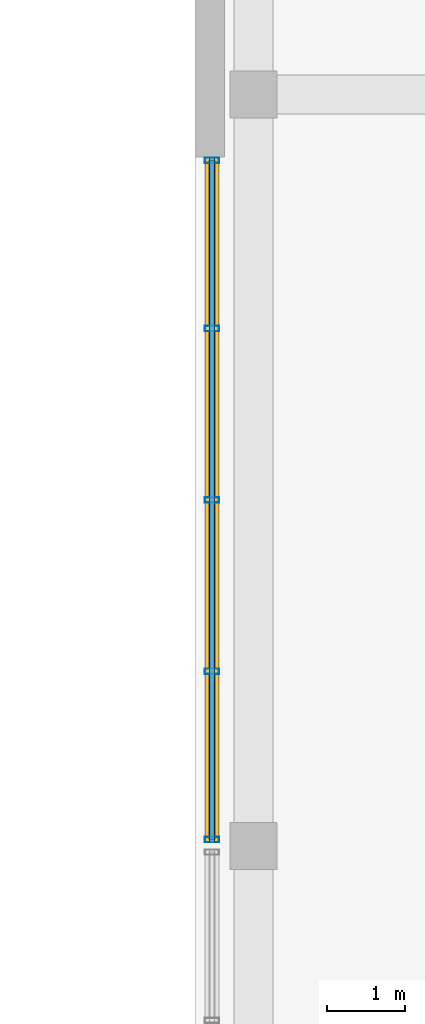
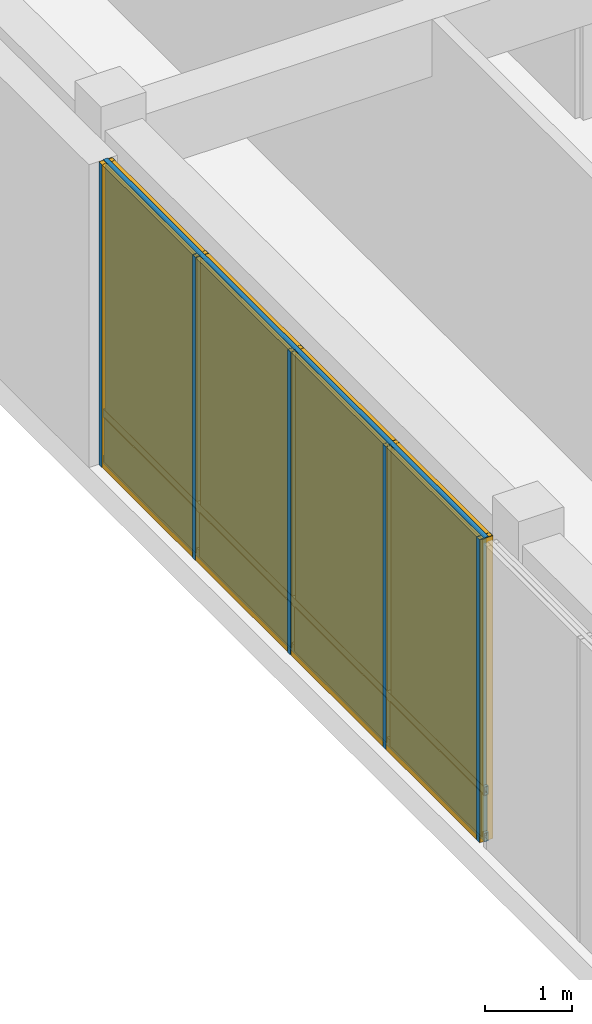
# One storey, part 17 of 24: 8 members, 8 plates, 1 curtain wall.
"""IFC4 building model written with IfcOpenShell, lengths in metres."""

from ifc_helpers import new_model, si_unit, direction, frame, frame_2d, origin, origin_2d, place, context, subcontext, project, spatial, rectangle, hollow_rectangle, extrude, material, layer, layer_set, material_profile, profile_set, type_object, element, aggregate, save


model = new_model("IFC4")

# Units and contexts
model_context = context("Model", 3, precision=1e-05, world=origin(), true_north=direction((0.0, 1.0)))
body_context = subcontext(model_context, "Body", "Model", "MODEL_VIEW")
ifc_project = project(units=[si_unit("LENGTHUNIT", "METRE"), si_unit("AREAUNIT", "SQUARE_METRE"), si_unit("VOLUMEUNIT", "CUBIC_METRE"), si_unit("PLANEANGLEUNIT", "RADIAN"), si_unit("MASSUNIT", "GRAM", prefix="KILO")], contexts=[model_context])

# Member
ifc_material_1 = material(Name="Anodized Aluminium 6063-T6", Category="aluminium")
ifc_material_profile_1 = material_profile(ifc_material_1, hollow_rectangle(XDim=0.070068359375, YDim=0.179931640625, WallThickness=0.00390625, at=origin_2d()), Name="Anodized Aluminium 6063-T6")
ifc_profile_set_1 = profile_set([ifc_material_profile_1], Name="Anodized Aluminium 6063-T6")
member_type_1 = type_object("IfcMemberType", Name="Curtain Wall Mullion 180", PredefinedType="MULLION", material=ifc_profile_set_1)
site_placement = place(None, origin())
building_placement = place(site_placement, origin())
storey_placement = place(building_placement, frame((0.0, 0.0, 10.39990234375)))
member_1_placement = place(storey_placement, frame((85.419921875, 28.8798828125, 0.0), z_axis=(0.0, 0.0, 1.0), x_axis=(0.0, 1.0, 0.0)))
member_1 = element("IfcMember", 1, at=member_1_placement, type_object=member_type_1, Name="Curtain Wall Mullion CW-L02-LREAD-2-M01", PredefinedType="MULLION", context=body_context, shape_type="SweptSolid", body=[
    extrude(hollow_rectangle(XDim=0.070068359375, YDim=0.179931640625, WallThickness=0.00390625, at=origin_2d()), origin(), (0.0, 0.0, 1.0), 4.25),
])

member_2_placement = place(storey_placement, frame((85.419921875, 31.030029296875, 0.0), z_axis=(0.0, 0.0, 1.0), x_axis=(0.0, 1.0, 0.0)))
member_2 = element("IfcMember", 2, at=member_2_placement, type_object=member_type_1, Name="Curtain Wall Mullion CW-L02-LREAD-2-M02", PredefinedType="MULLION", context=body_context, shape_type="SweptSolid", body=[
    extrude(hollow_rectangle(XDim=0.070068359375, YDim=0.179931640625, WallThickness=0.00390625, at=origin_2d()), origin(), (0.0, 0.0, 1.0), 4.25),
])

member_3_placement = place(storey_placement, frame((85.419921875, 33.219970703125, 0.0), z_axis=(0.0, 0.0, 1.0), x_axis=(0.0, 1.0, 0.0)))
member_3 = element("IfcMember", 3, at=member_3_placement, type_object=member_type_1, Name="Curtain Wall Mullion CW-L02-LREAD-2-M03", PredefinedType="MULLION", context=body_context, shape_type="SweptSolid", body=[
    extrude(hollow_rectangle(XDim=0.070068359375, YDim=0.179931640625, WallThickness=0.00390625, at=origin_2d()), origin(), (0.0, 0.0, 1.0), 4.25),
])

member_4_placement = place(storey_placement, frame((85.419921875, 35.409912109375, 0.0), z_axis=(0.0, 0.0, 1.0), x_axis=(0.0, 1.0, 0.0)))
member_4 = element("IfcMember", 4, at=member_4_placement, type_object=member_type_1, Name="Curtain Wall Mullion CW-L02-LREAD-2-M04", PredefinedType="MULLION", context=body_context, shape_type="SweptSolid", body=[
    extrude(hollow_rectangle(XDim=0.070068359375, YDim=0.179931640625, WallThickness=0.00390625, at=origin_2d()), origin(), (0.0, 0.0, 1.0), 4.25),
])

member_5_placement = place(storey_placement, frame((85.419921875, 37.56005859375, 0.0), z_axis=(0.0, 0.0, 1.0), x_axis=(0.0, 1.0, 0.0)))
member_5 = element("IfcMember", 5, at=member_5_placement, type_object=member_type_1, Name="Curtain Wall Mullion CW-L02-LREAD-2-M05", PredefinedType="MULLION", context=body_context, shape_type="SweptSolid", body=[
    extrude(hollow_rectangle(XDim=0.070068359375, YDim=0.179931640625, WallThickness=0.00390625, at=origin_2d()), origin(), (0.0, 0.0, 1.0), 4.25),
])

ifc_material_profile_2 = material_profile(ifc_material_1, hollow_rectangle(XDim=0.06005859375, YDim=0.1201171875, WallThickness=0.00341796875, at=origin_2d()), Name="Anodized Aluminium 6063-T6")
ifc_profile_set_2 = profile_set([ifc_material_profile_2], Name="Anodized Aluminium 6063-T6")
member_type_2 = type_object("IfcMemberType", Name="Curtain Wall Transom 120", PredefinedType="USERDEFINED", material=ifc_profile_set_2)
member_6_placement = place(storey_placement, frame((85.419921875, 28.840087890625, 0.050048828125), z_axis=(0.0, 1.0, 0.0), x_axis=(-1.0, 0.0, 0.0)))
member_6 = element("IfcMember", 6, at=member_6_placement, type_object=member_type_2, Name="Curtain Wall Transom CW-L02-LREAD-2-T01", ObjectType="TRANSOM", PredefinedType="USERDEFINED", context=body_context, shape_type="SweptSolid", body=[
    extrude(hollow_rectangle(XDim=0.06005859375, YDim=0.1201171875, WallThickness=0.00341796875, at=origin_2d()), origin(), (0.0, 0.0, 1.0), 8.760009765625),
])

member_7_placement = place(storey_placement, frame((85.419921875, 28.840087890625, 0.7001953125), z_axis=(0.0, 1.0, 0.0), x_axis=(-1.0, 0.0, 0.0)))
member_7 = element("IfcMember", 7, at=member_7_placement, type_object=member_type_2, Name="Curtain Wall Transom CW-L02-LREAD-2-T02", ObjectType="TRANSOM", PredefinedType="USERDEFINED", context=body_context, shape_type="SweptSolid", body=[
    extrude(hollow_rectangle(XDim=0.06005859375, YDim=0.1201171875, WallThickness=0.00341796875, at=origin_2d()), origin(), (0.0, 0.0, 1.0), 8.760009765625),
])

member_8_placement = place(storey_placement, frame((85.419921875, 28.840087890625, 4.2001953125), z_axis=(0.0, 1.0, 0.0), x_axis=(-1.0, 0.0, 0.0)))
member_8 = element("IfcMember", 8, at=member_8_placement, type_object=member_type_2, Name="Curtain Wall Transom CW-L02-LREAD-2-T03", ObjectType="TRANSOM", PredefinedType="USERDEFINED", context=body_context, shape_type="SweptSolid", body=[
    extrude(hollow_rectangle(XDim=0.06005859375, YDim=0.1201171875, WallThickness=0.00341796875, at=origin_2d()), origin(), (0.0, 0.0, 1.0), 8.760009765625),
])

# Plate
ifc_material_2 = material(Name="Bird-Friendly Fritted Triple Glazing", Category="glass")
ifc_layer_1 = layer(ifc_material_2, 0.052001953125, Name="Bird-Friendly Fritted Triple Glazing")
ifc_layer_set_1 = layer_set([ifc_layer_1], Name="Bird-Friendly Fritted Triple Glazing")
plate_type_1 = type_object("IfcPlateType", Name="Plate CWGlazing 52", PredefinedType="CURTAIN_PANEL", material=ifc_layer_set_1)
plate_1_placement = place(storey_placement, frame((85.419921875, 29.93505859375, 0.740234375), z_axis=(0.0, 0.0, 1.0), x_axis=(0.0, 1.0, 0.0)))
plate_1 = element("IfcPlate", 9, at=plate_1_placement, type_object=plate_type_1, Name="Vision Glazing Panel CW-L02-LREAD-2-GL01", PredefinedType="CURTAIN_PANEL", context=body_context, shape_type="SweptSolid", body=[
    extrude(rectangle(XDim=2.110107421875, YDim=0.052001953125, at=origin_2d()), origin(), (0.0, 0.0, 1.0), 3.469970703125),
])

plate_2_placement = place(storey_placement, frame((85.419921875, 32.125, 0.740234375), z_axis=(0.0, 0.0, 1.0), x_axis=(0.0, 1.0, 0.0)))
plate_2 = element("IfcPlate", 10, at=plate_2_placement, type_object=plate_type_1, Name="Vision Glazing Panel CW-L02-LREAD-2-GL02", PredefinedType="CURTAIN_PANEL", context=body_context, shape_type="SweptSolid", body=[
    extrude(rectangle(XDim=2.110107421875, YDim=0.052001953125, at=origin_2d()), origin(), (0.0, 0.0, 1.0), 3.469970703125),
])

plate_3_placement = place(storey_placement, frame((85.419921875, 34.31494140625, 0.740234375), z_axis=(0.0, 0.0, 1.0), x_axis=(0.0, 1.0, 0.0)))
plate_3 = element("IfcPlate", 11, at=plate_3_placement, type_object=plate_type_1, Name="Vision Glazing Panel CW-L02-LREAD-2-GL03", PredefinedType="CURTAIN_PANEL", context=body_context, shape_type="SweptSolid", body=[
    extrude(rectangle(XDim=2.110107421875, YDim=0.052001953125, at=origin_2d()), origin(), (0.0, 0.0, 1.0), 3.469970703125),
])

plate_4_placement = place(storey_placement, frame((85.419921875, 36.5048828125, 0.740234375), z_axis=(0.0, 0.0, 1.0), x_axis=(0.0, 1.0, 0.0)))
plate_4 = element("IfcPlate", 12, at=plate_4_placement, type_object=plate_type_1, Name="Vision Glazing Panel CW-L02-LREAD-2-GL04", PredefinedType="CURTAIN_PANEL", context=body_context, shape_type="SweptSolid", body=[
    extrude(rectangle(XDim=2.110107421875, YDim=0.052001953125, at=origin_2d()), origin(), (0.0, 0.0, 1.0), 3.469970703125),
])

ifc_material_3 = material(Name="Insulated Aluminium Spandrel Panel", Category="aluminium")
ifc_layer_2 = layer(ifc_material_3, 0.080078125, Name="Insulated Aluminium Spandrel Panel")
ifc_layer_set_2 = layer_set([ifc_layer_2], Name="Insulated Aluminium Spandrel Panel")
plate_type_2 = type_object("IfcPlateType", Name="Plate CWSpandrel 80", PredefinedType="SHEET", material=ifc_layer_set_2)
plate_5_placement = place(storey_placement, frame((85.419921875, 29.93505859375, 0.0400390625), z_axis=(0.0, 0.0, 1.0), x_axis=(0.0, 1.0, 0.0)))
plate_5 = element("IfcPlate", 13, at=plate_5_placement, type_object=plate_type_2, Name="Spandrel Panel CW-L02-LREAD-2-SP01", PredefinedType="SHEET", context=body_context, shape_type="SweptSolid", body=[
    extrude(rectangle(XDim=2.110107421875, YDim=0.080078125, at=origin_2d()), origin(), (0.0, 0.0, 1.0), 0.6201171875),
])

plate_6_placement = place(storey_placement, frame((85.419921875, 32.125, 0.0400390625), z_axis=(0.0, 0.0, 1.0), x_axis=(0.0, 1.0, 0.0)))
plate_6 = element("IfcPlate", 14, at=plate_6_placement, type_object=plate_type_2, Name="Spandrel Panel CW-L02-LREAD-2-SP02", PredefinedType="SHEET", context=body_context, shape_type="SweptSolid", body=[
    extrude(rectangle(XDim=2.110107421875, YDim=0.080078125, at=origin_2d()), origin(), (0.0, 0.0, 1.0), 0.6201171875),
])

plate_7_placement = place(storey_placement, frame((85.419921875, 34.31494140625, 0.0400390625), z_axis=(0.0, 0.0, 1.0), x_axis=(0.0, 1.0, 0.0)))
plate_7 = element("IfcPlate", 15, at=plate_7_placement, type_object=plate_type_2, Name="Spandrel Panel CW-L02-LREAD-2-SP03", PredefinedType="SHEET", context=body_context, shape_type="SweptSolid", body=[
    extrude(rectangle(XDim=2.110107421875, YDim=0.080078125, at=origin_2d()), origin(), (0.0, 0.0, 1.0), 0.6201171875),
])

plate_8_placement = place(storey_placement, frame((85.419921875, 36.5048828125, 0.0400390625), z_axis=(0.0, 0.0, 1.0), x_axis=(0.0, 1.0, 0.0)))
plate_8 = element("IfcPlate", 16, at=plate_8_placement, type_object=plate_type_2, Name="Spandrel Panel CW-L02-LREAD-2-SP04", PredefinedType="SHEET", context=body_context, shape_type="SweptSolid", body=[
    extrude(rectangle(XDim=2.110107421875, YDim=0.080078125, at=origin_2d()), origin(), (0.0, 0.0, 1.0), 0.6201171875),
])

# Site, building, storey
site = spatial("IfcSite", under=ifc_project, at=site_placement, CompositionType="ELEMENT")
building = spatial("IfcBuilding", under=site, at=building_placement, Name="Norrvale University Quadrangle", CompositionType="ELEMENT")
storey = spatial("IfcBuildingStorey", under=building, at=storey_placement, Name="L02", CompositionType="ELEMENT", Elevation=10.39990234375)

# Curtain wall
ifc_material_4 = material(Name="Anodized Aluminium and Triple Glazing", Category="glass")
curtain_wall_type = type_object("IfcCurtainWallType", Name="Curtain Wall System 4 Lib Reading", PredefinedType="NOTDEFINED", material=ifc_material_4)
curtain_wall_placement = place(storey_placement, frame((85.419921875, 28.840087890625, 0.0), z_axis=(0.0, 0.0, 1.0), x_axis=(0.0, 1.0, 0.0)))
curtain_wall = element("IfcCurtainWall", 17, at=curtain_wall_placement, inside=storey, type_object=curtain_wall_type, Name="Curtain Wall CW System 4 Lib Reading CW-L02-LREAD-2", PredefinedType="NOTDEFINED", context=body_context, shape_type="SweptSolid", body=[
    extrude(rectangle(XDim=8.760009765625, YDim=0.175048828125, at=frame_2d((4.3798828125, 0.0))), origin(), (0.0, 0.0, 1.0), 4.25),
])

aggregate(curtain_wall, [member_1, member_2, member_3, member_4, member_5, member_6, member_7, member_8, plate_5, plate_1, plate_6, plate_2, plate_7, plate_3, plate_8, plate_4])

save(model, "model.ifc")
